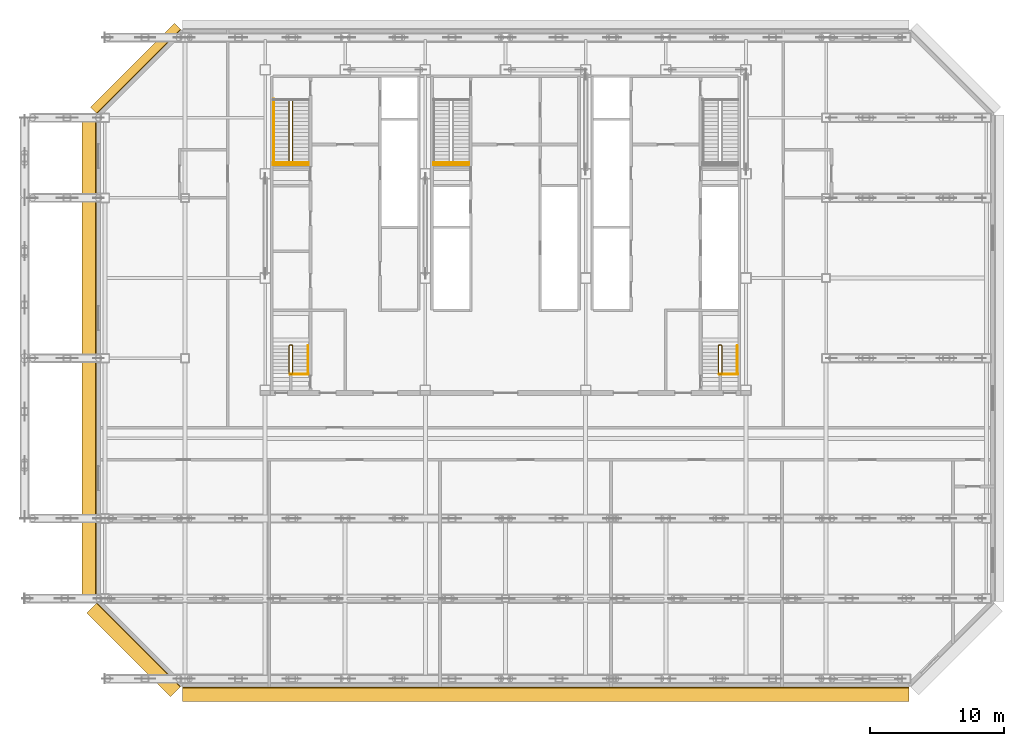
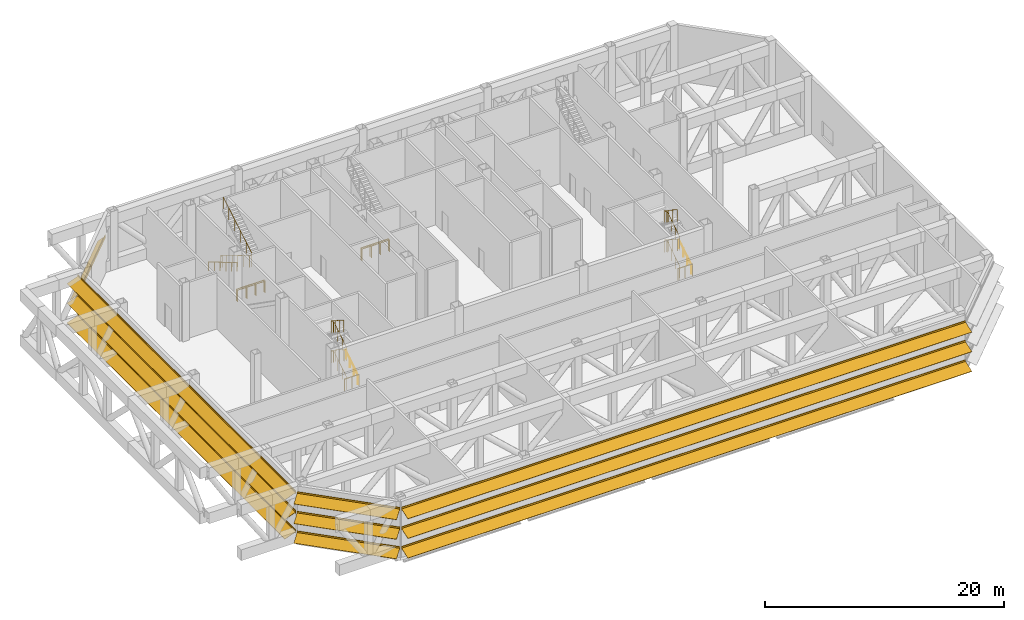
# One storey, part 16 of 17: 14 railings, 4 shading devices.
"""IFC4 building model written with IfcOpenShell, lengths in metres."""

from ifc_helpers import new_model, si_unit, direction, frame, origin, origin_2d, place, context, subcontext, project, spatial, polyline, circle, outline, composite_profile, extrude, material, type_object, element, save


model = new_model("IFC4")

# Units and contexts
model_context = context("Model", 3, precision=1e-05, world=origin(), true_north=direction((0.0, 1.0)))
body_context = subcontext(model_context, "Body", "Model", "MODEL_VIEW")
ifc_project = project(units=[si_unit("LENGTHUNIT", "METRE"), si_unit("AREAUNIT", "SQUARE_METRE"), si_unit("VOLUMEUNIT", "CUBIC_METRE"), si_unit("PLANEANGLEUNIT", "RADIAN"), si_unit("MASSUNIT", "GRAM", prefix="KILO")], contexts=[model_context])

# Site, building, storey
site_placement = place(None, origin())
site = spatial("IfcSite", under=ifc_project, at=site_placement, CompositionType="ELEMENT")
building_placement = place(site_placement, origin())
building = spatial("IfcBuilding", under=site, at=building_placement, Name="Sorahane Residences", CompositionType="ELEMENT")
storey_placement = place(building_placement, frame((0.0, 0.0, 186.0)))
storey = spatial("IfcBuildingStorey", under=building, at=storey_placement, Name="L43", CompositionType="ELEMENT", Elevation=186.0)

# Shading devices
ifc_material_1 = material(Name="Terracotta anodised aluminium", Category="masonry")
shading_device_type_1 = type_object("IfcShadingDeviceType", Name="Louvre sunshade blade NW terracotta aluminium 700", PredefinedType="JALOUSIE", material=ifc_material_1)
shading_device_1_placement = place(storey_placement, frame((-0.283935546875, 48.564697265625, 3.0), z_axis=(-0.707106781187, -0.707106781187, 0.0), x_axis=(0.707106781187, -0.707106781187, 0.0)))
element("IfcShadingDevice", 1, at=shading_device_1_placement, inside=storey, type_object=shading_device_type_1, Name="Louvre sunshade blade bank NW L43 NW1", PredefinedType="JALOUSIE", context=body_context, shape_type="SweptSolid", body=[
    extrude(outline(polyline([(-0.719970703125, -0.660888671875), (-0.719970703125, -0.69091796875), (-0.080078125, -0.072998046875), (-0.080078125, -0.14990234375), (-0.02001953125, -0.14990234375), (-0.02001953125, -0.014892578125), (-0.02001953125, 0.014892578125), (-0.02001953125, 0.14990234375), (-0.080078125, 0.14990234375), (-0.080078125, -0.04296875), (-0.719970703125, -0.660888671875)])), origin(), (0.0, 0.0, 1.0), 8.88232421875),
])
ifc_material_2 = material(Name="Terracotta anodised aluminium", Category="masonry")
shading_device_type_2 = type_object("IfcShadingDeviceType", Name="Louvre sunshade blade S terracotta aluminium 1100", PredefinedType="JALOUSIE", material=ifc_material_2)
shading_device_2_placement = place(storey_placement, frame((-0.198486328125, -0.60009765625, 1.0), z_axis=(1.0, 0.0, 0.0), x_axis=(0.0, 1.0, 0.0)))
element("IfcShadingDevice", 2, at=shading_device_2_placement, inside=storey, type_object=shading_device_type_2, Name="Louvre sunshade blade bank S L43 S1", PredefinedType="JALOUSIE", context=body_context, shape_type="SweptSolid", body=[
    extrude(composite_profile([outline(polyline([(-1.1201171875, -0.385498046875), (-1.1201171875, -0.415283203125), (-0.080078125, -0.036865234375), (-0.080078125, -0.14990234375), (-0.02001953125, -0.14990234375), (-0.02001953125, -0.014892578125), (-0.02001953125, 0.014892578125), (-0.02001953125, 0.14990234375), (-0.080078125, 0.14990234375), (-0.080078125, -0.0068359375), (-1.1201171875, -0.385498046875)])), outline(polyline([(-1.1201171875, 1.614501953125), (-1.1201171875, 1.584716796875), (-0.080078125, 1.963134765625), (-0.080078125, 1.85009765625), (-0.02001953125, 1.85009765625), (-0.02001953125, 1.985107421875), (-0.02001953125, 2.014892578125), (-0.02001953125, 2.14990234375), (-0.080078125, 2.14990234375), (-0.080078125, 1.9931640625), (-1.1201171875, 1.614501953125)])), outline(polyline([(-1.1201171875, 3.614501953125), (-1.1201171875, 3.584716796875), (-0.080078125, 3.963134765625), (-0.080078125, 3.85009765625), (-0.02001953125, 3.85009765625), (-0.02001953125, 3.985107421875), (-0.02001953125, 4.014892578125), (-0.02001953125, 4.14990234375), (-0.080078125, 4.14990234375), (-0.080078125, 3.9931640625), (-1.1201171875, 3.614501953125)]))]), origin(), (0.0, 0.0, 1.0), 54.39697265625),
])
ifc_material_3 = material(Name="Terracotta anodised aluminium", Category="masonry")
shading_device_type_3 = type_object("IfcShadingDeviceType", Name="Louvre sunshade blade SW terracotta aluminium 1100", PredefinedType="JALOUSIE", material=ifc_material_3)
shading_device_3_placement = place(storey_placement, frame((-6.564697265625, 5.716064453125, 1.0), z_axis=(0.707106781187, -0.707106781187, 0.0), x_axis=(0.707106781187, 0.707106781187, 0.0)))
element("IfcShadingDevice", 3, at=shading_device_3_placement, inside=storey, type_object=shading_device_type_3, Name="Louvre sunshade blade bank SW L43 SW1", PredefinedType="JALOUSIE", context=body_context, shape_type="SweptSolid", body=[
    extrude(composite_profile([outline(polyline([(-1.1201171875, -0.385498046875), (-1.1201171875, -0.415283203125), (-0.080078125, -0.036865234375), (-0.080078125, -0.14990234375), (-0.02001953125, -0.14990234375), (-0.02001953125, -0.014892578125), (-0.02001953125, 0.014892578125), (-0.02001953125, 0.14990234375), (-0.080078125, 0.14990234375), (-0.080078125, -0.0068359375), (-1.1201171875, -0.385498046875)])), outline(polyline([(-1.1201171875, 1.614501953125), (-1.1201171875, 1.584716796875), (-0.080078125, 1.963134765625), (-0.080078125, 1.85009765625), (-0.02001953125, 1.85009765625), (-0.02001953125, 1.985107421875), (-0.02001953125, 2.014892578125), (-0.02001953125, 2.14990234375), (-0.080078125, 2.14990234375), (-0.080078125, 1.9931640625), (-1.1201171875, 1.614501953125)])), outline(polyline([(-1.1201171875, 3.614501953125), (-1.1201171875, 3.584716796875), (-0.080078125, 3.963134765625), (-0.080078125, 3.85009765625), (-0.02001953125, 3.85009765625), (-0.02001953125, 3.985107421875), (-0.02001953125, 4.014892578125), (-0.02001953125, 4.14990234375), (-0.080078125, 4.14990234375), (-0.080078125, 3.9931640625), (-1.1201171875, 3.614501953125)]))]), origin(), (0.0, 0.0, 1.0), 8.88232421875),
])
ifc_material_4 = material(Name="Terracotta anodised aluminium", Category="masonry")
shading_device_type_4 = type_object("IfcShadingDeviceType", Name="Louvre sunshade blade W terracotta aluminium 1100", PredefinedType="JALOUSIE", material=ifc_material_4)
shading_device_4_placement = place(storey_placement, frame((-6.60009765625, 42.198486328125, 1.0), z_axis=(0.0, -1.0, 0.0), x_axis=(1.0, 0.0, 0.0)))
element("IfcShadingDevice", 4, at=shading_device_4_placement, inside=storey, type_object=shading_device_type_4, Name="Louvre sunshade blade bank W L43 W1", PredefinedType="JALOUSIE", context=body_context, shape_type="SweptSolid", body=[
    extrude(composite_profile([outline(polyline([(-1.1201171875, -0.385498046875), (-1.1201171875, -0.415283203125), (-0.080078125, -0.036865234375), (-0.080078125, -0.14990234375), (-0.02001953125, -0.14990234375), (-0.02001953125, -0.014892578125), (-0.02001953125, 0.014892578125), (-0.02001953125, 0.14990234375), (-0.080078125, 0.14990234375), (-0.080078125, -0.0068359375), (-1.1201171875, -0.385498046875)])), outline(polyline([(-1.1201171875, 1.614501953125), (-1.1201171875, 1.584716796875), (-0.080078125, 1.963134765625), (-0.080078125, 1.85009765625), (-0.02001953125, 1.85009765625), (-0.02001953125, 1.985107421875), (-0.02001953125, 2.014892578125), (-0.02001953125, 2.14990234375), (-0.080078125, 2.14990234375), (-0.080078125, 1.9931640625), (-1.1201171875, 1.614501953125)])), outline(polyline([(-1.1201171875, 3.614501953125), (-1.1201171875, 3.584716796875), (-0.080078125, 3.963134765625), (-0.080078125, 3.85009765625), (-0.02001953125, 3.85009765625), (-0.02001953125, 3.985107421875), (-0.02001953125, 4.014892578125), (-0.02001953125, 4.14990234375), (-0.080078125, 4.14990234375), (-0.080078125, 3.9931640625), (-1.1201171875, 3.614501953125)]))]), origin(), (0.0, 0.0, 1.0), 36.39697265625),
])

# Railings
ifc_material_5 = material(Name="Steel Q355B", Category="steel")
railing_type_1 = type_object("IfcRailingType", Name="Stair guard 1200 Steel Q355B", PredefinedType="GUARDRAIL", material=ifc_material_5)
railing_1_placement = place(storey_placement, frame((9.25, 38.47509765625, 0.0)))
element("IfcRailing", 5, at=railing_1_placement, inside=storey, type_object=railing_type_1, Name="L43 S1 top well guard 1", PredefinedType="GUARDRAIL", context=body_context, shape_type="SweptSolid", body=[
    extrude(circle(Radius=0.02392578125, at=origin_2d()), frame((0.0, 0.0, 1.17578125), z_axis=(-1.0, 0.0, 0.0), x_axis=(0.0, -1.0, 0.0)), (0.0, 0.0, 1.0), 2.64990234375),
    extrude(circle(Radius=0.02099609375, at=origin_2d()), origin(), (0.0, 0.0, 1.0), 1.15185546875),
    extrude(circle(Radius=0.02099609375, at=origin_2d()), frame((-0.88330078125, 0.0, 0.0)), (0.0, 0.0, 1.0), 1.15185546875),
    extrude(circle(Radius=0.02099609375, at=origin_2d()), frame((-1.7666015625, 0.0, 0.0)), (0.0, 0.0, 1.0), 1.15185546875),
    extrude(circle(Radius=0.02099609375, at=origin_2d()), frame((-2.64990234375, 0.0, 0.0)), (0.0, 0.0, 1.0), 1.15185546875),
])
railing_2_placement = place(storey_placement, frame((6.60009765625, 38.64990234375, 0.0)))
element("IfcRailing", 6, at=railing_2_placement, inside=storey, type_object=railing_type_1, Name="L43 Stair S1 edge guard", PredefinedType="GUARDRAIL", context=body_context, shape_type="SweptSolid", body=[
    extrude(circle(Radius=0.02392578125, at=origin_2d()), frame((0.0, 0.0, 1.17578125), z_axis=(1.0, 0.0, 0.0), x_axis=(0.0, 1.0, 0.0)), (0.0, 0.0, 1.0), 2.64990234375),
    extrude(circle(Radius=0.02099609375, at=origin_2d()), origin(), (0.0, 0.0, 1.0), 1.15185546875),
    extrude(circle(Radius=0.02099609375, at=origin_2d()), frame((0.88330078125, 0.0, 0.0)), (0.0, 0.0, 1.0), 1.15185546875),
    extrude(circle(Radius=0.02099609375, at=origin_2d()), frame((1.7666015625, 0.0, 0.0)), (0.0, 0.0, 1.0), 1.15185546875),
    extrude(circle(Radius=0.02099609375, at=origin_2d()), frame((2.64990234375, 0.0, 0.0)), (0.0, 0.0, 1.0), 1.15185546875),
])
railing_3_placement = place(storey_placement, frame((8.0, 43.449951171875, 0.0)))
element("IfcRailing", 7, at=railing_3_placement, inside=storey, type_object=railing_type_1, Name="L43 S1 stair guard 1", PredefinedType="GUARDRAIL", context=body_context, shape_type="SweptSolid", body=[
    extrude(circle(Radius=0.02392578125, at=origin_2d()), frame((0.0, 0.0, 1.17578125), z_axis=(-1.0, 0.0, 0.0), x_axis=(0.0, -1.0, 0.0)), (0.0, 0.0, 1.0), 0.14990234375),
    extrude(circle(Radius=0.02392578125, at=origin_2d()), frame((-0.14990234375, 0.0, 1.17578125), z_axis=(-0.27628659633, -0.27628659633, 0.920506074601), x_axis=(0.707106781187, -0.707106781187, 0.0)), (0.0, 0.0, 1.0), 0.18115234375),
    extrude(circle(Radius=0.02392578125, at=origin_2d()), frame((-0.199951171875, -0.050048828125, 1.3427734375), z_axis=(0.0, -0.859299802514, 0.511472237174), x_axis=(1.0, 0.0, 0.0)), (0.0, 0.0, 1.0), 5.539306640625),
    extrude(circle(Radius=0.02392578125, at=origin_2d()), frame((-0.199951171875, -4.81005859375, 4.17578125), z_axis=(0.708833529934, -0.705375805398, 0.0), x_axis=(0.705375805398, 0.708833529934, 0.0)), (0.0, 0.0, 1.0), 0.070556640625),
    extrude(circle(Radius=0.02392578125, at=origin_2d()), frame((-0.14990234375, -4.85986328125, 4.17578125), z_axis=(1.0, 0.0, 0.0), x_axis=(0.0, 1.0, 0.0)), (0.0, 0.0, 1.0), 0.14990234375),
    extrude(circle(Radius=0.02392578125, at=origin_2d()), frame((0.0, -4.85986328125, 4.17578125), z_axis=(0.276389281352, 0.275041040955, 0.920848191041), x_axis=(-0.705375805398, 0.708833529934, 0.0)), (0.0, 0.0, 1.0), 0.18115234375),
    extrude(circle(Radius=0.02392578125, at=origin_2d()), frame((0.050048828125, -4.81005859375, 4.3427734375), z_axis=(0.0, 0.859299802514, 0.511472237174), x_axis=(-1.0, 0.0, 0.0)), (0.0, 0.0, 1.0), 5.539306640625),
    extrude(circle(Radius=0.02099609375, at=origin_2d()), origin(), (0.0, 0.0, 1.0), 1.15185546875),
    extrude(circle(Radius=0.02099609375, at=origin_2d()), frame((-0.14990234375, 0.0, 0.0)), (0.0, 0.0, 1.0), 1.15185546875),
    extrude(circle(Radius=0.02099609375, at=origin_2d()), frame((-0.199951171875, -0.050048828125, 0.166748046875)), (0.0, 0.0, 1.0), 1.15185546875),
    extrude(circle(Radius=0.02099609375, at=origin_2d()), frame((-0.199951171875, -1.001953125, 0.7333984375)), (0.0, 0.0, 1.0), 1.15185546875),
    extrude(circle(Radius=0.02099609375, at=origin_2d()), frame((-0.199951171875, -1.9541015625, 1.300048828125)), (0.0, 0.0, 1.0), 1.15185546875),
    extrude(circle(Radius=0.02099609375, at=origin_2d()), frame((-0.199951171875, -2.906005859375, 1.86669921875)), (0.0, 0.0, 1.0), 1.15185546875),
    extrude(circle(Radius=0.02099609375, at=origin_2d()), frame((-0.199951171875, -3.858154296875, 2.433349609375)), (0.0, 0.0, 1.0), 1.15185546875),
    extrude(circle(Radius=0.02099609375, at=origin_2d()), frame((-0.199951171875, -4.81005859375, 3.0)), (0.0, 0.0, 1.0), 1.15185546875),
    extrude(circle(Radius=0.02099609375, at=origin_2d()), frame((-0.14990234375, -4.85986328125, 3.0)), (0.0, 0.0, 1.0), 1.15185546875),
    extrude(circle(Radius=0.02099609375, at=origin_2d()), frame((0.0, -4.85986328125, 3.0)), (0.0, 0.0, 1.0), 1.15185546875),
    extrude(circle(Radius=0.02099609375, at=origin_2d()), frame((0.050048828125, -4.81005859375, 3.166748046875)), (0.0, 0.0, 1.0), 1.15185546875),
    extrude(circle(Radius=0.02099609375, at=origin_2d()), frame((0.050048828125, -3.858154296875, 3.7333984375)), (0.0, 0.0, 1.0), 1.15185546875),
    extrude(circle(Radius=0.02099609375, at=origin_2d()), frame((0.050048828125, -2.906005859375, 4.300048828125)), (0.0, 0.0, 1.0), 1.15185546875),
    extrude(circle(Radius=0.02099609375, at=origin_2d()), frame((0.050048828125, -1.9541015625, 4.86669921875)), (0.0, 0.0, 1.0), 1.15185546875),
    extrude(circle(Radius=0.02099609375, at=origin_2d()), frame((0.050048828125, -1.001953125, 5.433349609375)), (0.0, 0.0, 1.0), 1.15185546875),
    extrude(circle(Radius=0.02099609375, at=origin_2d()), frame((0.050048828125, -0.050048828125, 6.0)), (0.0, 0.0, 1.0), 1.15185546875),
])
railing_4_placement = place(storey_placement, frame((21.25, 38.47509765625, 0.0)))
element("IfcRailing", 8, at=railing_4_placement, inside=storey, type_object=railing_type_1, Name="L43 S3 top well guard 1", PredefinedType="GUARDRAIL", context=body_context, shape_type="SweptSolid", body=[
    extrude(circle(Radius=0.02392578125, at=origin_2d()), frame((0.0, 0.0, 1.17578125), z_axis=(-1.0, 0.0, 0.0), x_axis=(0.0, -1.0, 0.0)), (0.0, 0.0, 1.0), 2.64990234375),
    extrude(circle(Radius=0.02099609375, at=origin_2d()), origin(), (0.0, 0.0, 1.0), 1.15185546875),
    extrude(circle(Radius=0.02099609375, at=origin_2d()), frame((-0.88330078125, 0.0, 0.0)), (0.0, 0.0, 1.0), 1.15185546875),
    extrude(circle(Radius=0.02099609375, at=origin_2d()), frame((-1.7666015625, 0.0, 0.0)), (0.0, 0.0, 1.0), 1.15185546875),
    extrude(circle(Radius=0.02099609375, at=origin_2d()), frame((-2.64990234375, 0.0, 0.0)), (0.0, 0.0, 1.0), 1.15185546875),
])
railing_5_placement = place(storey_placement, frame((18.60009765625, 38.64990234375, 0.0)))
element("IfcRailing", 9, at=railing_5_placement, inside=storey, type_object=railing_type_1, Name="L43 Stair S3 edge guard", PredefinedType="GUARDRAIL", context=body_context, shape_type="SweptSolid", body=[
    extrude(circle(Radius=0.02392578125, at=origin_2d()), frame((0.0, 0.0, 1.17578125), z_axis=(1.0, 0.0, 0.0), x_axis=(0.0, 1.0, 0.0)), (0.0, 0.0, 1.0), 2.64990234375),
    extrude(circle(Radius=0.02099609375, at=origin_2d()), origin(), (0.0, 0.0, 1.0), 1.15185546875),
    extrude(circle(Radius=0.02099609375, at=origin_2d()), frame((0.88330078125, 0.0, 0.0)), (0.0, 0.0, 1.0), 1.15185546875),
    extrude(circle(Radius=0.02099609375, at=origin_2d()), frame((1.7666015625, 0.0, 0.0)), (0.0, 0.0, 1.0), 1.15185546875),
    extrude(circle(Radius=0.02099609375, at=origin_2d()), frame((2.64990234375, 0.0, 0.0)), (0.0, 0.0, 1.0), 1.15185546875),
])
railing_6_placement = place(storey_placement, frame((9.25, 22.800048828125, 0.0)))
element("IfcRailing", 10, at=railing_6_placement, inside=storey, type_object=railing_type_1, Name="L43 S4 top well guard 1", PredefinedType="GUARDRAIL", context=body_context, shape_type="SweptSolid", body=[
    extrude(circle(Radius=0.02392578125, at=origin_2d()), frame((0.0, 0.0, 1.17578125), z_axis=(-1.0, 0.0, 0.0), x_axis=(0.0, -1.0, 0.0)), (0.0, 0.0, 1.0), 1.39990234375),
    extrude(circle(Radius=0.02099609375, at=origin_2d()), origin(), (0.0, 0.0, 1.0), 1.15185546875),
    extrude(circle(Radius=0.02099609375, at=origin_2d()), frame((-0.699951171875, 0.0, 0.0)), (0.0, 0.0, 1.0), 1.15185546875),
    extrude(circle(Radius=0.02099609375, at=origin_2d()), frame((-1.39990234375, 0.0, 0.0)), (0.0, 0.0, 1.0), 1.15185546875),
])
railing_7_placement = place(storey_placement, frame((7.85009765625, 22.800048828125, 0.0)))
element("IfcRailing", 11, at=railing_7_placement, inside=storey, type_object=railing_type_1, Name="L43 S4 stair guard 1", PredefinedType="GUARDRAIL", context=body_context, shape_type="SweptSolid", body=[
    extrude(circle(Radius=0.02392578125, at=origin_2d()), frame((0.0, 0.0, 1.17578125), z_axis=(1.0, 0.0, 0.0), x_axis=(0.0, 1.0, 0.0)), (0.0, 0.0, 1.0), 0.14990234375),
    extrude(circle(Radius=0.02392578125, at=origin_2d()), frame((0.14990234375, 0.0, 1.17578125), z_axis=(0.27628659633, 0.27628659633, 0.920506074601), x_axis=(-0.707106781187, 0.707106781187, 0.0)), (0.0, 0.0, 1.0), 0.18115234375),
    extrude(circle(Radius=0.02392578125, at=origin_2d()), frame((0.199951171875, 0.050048828125, 1.3427734375), z_axis=(0.0, 0.84187453394, 0.539673298491), x_axis=(-1.0, 0.0, 0.0)), (0.0, 0.0, 1.0), 2.470458984375),
    extrude(circle(Radius=0.02392578125, at=origin_2d()), frame((0.199951171875, 2.1298828125, 2.67578125), z_axis=(-0.707106781187, 0.707106781187, 0.0), x_axis=(-0.707106781187, -0.707106781187, 0.0)), (0.0, 0.0, 1.0), 0.07080078125),
    extrude(circle(Radius=0.02392578125, at=origin_2d()), frame((0.14990234375, 2.179931640625, 2.67578125), z_axis=(-1.0, 0.0, 0.0), x_axis=(0.0, -1.0, 0.0)), (0.0, 0.0, 1.0), 0.14990234375),
    extrude(circle(Radius=0.02392578125, at=origin_2d()), frame((0.0, 2.179931640625, 2.67578125), z_axis=(-0.27628659633, -0.27628659633, 0.920506074601), x_axis=(0.707106781187, -0.707106781187, 0.0)), (0.0, 0.0, 1.0), 0.18115234375),
    extrude(circle(Radius=0.02392578125, at=origin_2d()), frame((-0.050048828125, 2.1298828125, 2.8427734375), z_axis=(0.0, -0.84187453394, 0.539673298491), x_axis=(1.0, 0.0, 0.0)), (0.0, 0.0, 1.0), 2.470458984375),
    extrude(circle(Radius=0.02099609375, at=origin_2d()), origin(), (0.0, 0.0, 1.0), 1.15185546875),
    extrude(circle(Radius=0.02099609375, at=origin_2d()), frame((0.14990234375, 0.0, 0.0)), (0.0, 0.0, 1.0), 1.15185546875),
    extrude(circle(Radius=0.02099609375, at=origin_2d()), frame((0.199951171875, 0.050048828125, 0.166748046875)), (0.0, 0.0, 1.0), 1.15185546875),
    extrude(circle(Radius=0.02099609375, at=origin_2d()), frame((0.199951171875, 0.743408203125, 0.611083984375)), (0.0, 0.0, 1.0), 1.15185546875),
    extrude(circle(Radius=0.02099609375, at=origin_2d()), frame((0.199951171875, 1.4365234375, 1.0556640625)), (0.0, 0.0, 1.0), 1.15185546875),
    extrude(circle(Radius=0.02099609375, at=origin_2d()), frame((0.199951171875, 2.1298828125, 1.5)), (0.0, 0.0, 1.0), 1.15185546875),
    extrude(circle(Radius=0.02099609375, at=origin_2d()), frame((0.14990234375, 2.179931640625, 1.5)), (0.0, 0.0, 1.0), 1.15185546875),
    extrude(circle(Radius=0.02099609375, at=origin_2d()), frame((0.0, 2.179931640625, 1.5)), (0.0, 0.0, 1.0), 1.15185546875),
    extrude(circle(Radius=0.02099609375, at=origin_2d()), frame((-0.050048828125, 2.1298828125, 1.666748046875)), (0.0, 0.0, 1.0), 1.15185546875),
    extrude(circle(Radius=0.02099609375, at=origin_2d()), frame((-0.050048828125, 1.4365234375, 2.111083984375)), (0.0, 0.0, 1.0), 1.15185546875),
    extrude(circle(Radius=0.02099609375, at=origin_2d()), frame((-0.050048828125, 0.743408203125, 2.5556640625)), (0.0, 0.0, 1.0), 1.15185546875),
    extrude(circle(Radius=0.02099609375, at=origin_2d()), frame((-0.050048828125, 0.050048828125, 3.0)), (0.0, 0.0, 1.0), 1.15185546875),
])
railing_8_placement = place(storey_placement, frame((7.85009765625, 22.800048828125, 3.0)))
element("IfcRailing", 12, at=railing_8_placement, inside=storey, type_object=railing_type_1, Name="L43 S4 stair guard 2", PredefinedType="GUARDRAIL", context=body_context, shape_type="SweptSolid", body=[
    extrude(circle(Radius=0.02392578125, at=origin_2d()), frame((0.0, 0.0, 1.17578125), z_axis=(1.0, 0.0, 0.0), x_axis=(0.0, 1.0, 0.0)), (0.0, 0.0, 1.0), 0.14990234375),
    extrude(circle(Radius=0.02392578125, at=origin_2d()), frame((0.14990234375, 0.0, 1.17578125), z_axis=(0.27628659633, 0.27628659633, 0.920506074601), x_axis=(-0.707106781187, 0.707106781187, 0.0)), (0.0, 0.0, 1.0), 0.18115234375),
    extrude(circle(Radius=0.02392578125, at=origin_2d()), frame((0.199951171875, 0.050048828125, 1.3427734375), z_axis=(0.0, 0.84187453394, 0.539673298491), x_axis=(-1.0, 0.0, 0.0)), (0.0, 0.0, 1.0), 2.470458984375),
    extrude(circle(Radius=0.02392578125, at=origin_2d()), frame((0.199951171875, 2.1298828125, 2.67578125), z_axis=(-0.707106781187, 0.707106781187, 0.0), x_axis=(-0.707106781187, -0.707106781187, 0.0)), (0.0, 0.0, 1.0), 0.07080078125),
    extrude(circle(Radius=0.02392578125, at=origin_2d()), frame((0.14990234375, 2.179931640625, 2.67578125), z_axis=(-1.0, 0.0, 0.0), x_axis=(0.0, -1.0, 0.0)), (0.0, 0.0, 1.0), 0.14990234375),
    extrude(circle(Radius=0.02392578125, at=origin_2d()), frame((0.0, 2.179931640625, 2.67578125), z_axis=(-0.27628659633, -0.27628659633, 0.920506074601), x_axis=(0.707106781187, -0.707106781187, 0.0)), (0.0, 0.0, 1.0), 0.18115234375),
    extrude(circle(Radius=0.02392578125, at=origin_2d()), frame((-0.050048828125, 2.1298828125, 2.8427734375), z_axis=(0.0, -0.84187453394, 0.539673298491), x_axis=(1.0, 0.0, 0.0)), (0.0, 0.0, 1.0), 2.470458984375),
    extrude(circle(Radius=0.02099609375, at=origin_2d()), origin(), (0.0, 0.0, 1.0), 1.15185546875),
    extrude(circle(Radius=0.02099609375, at=origin_2d()), frame((0.14990234375, 0.0, 0.0)), (0.0, 0.0, 1.0), 1.15185546875),
    extrude(circle(Radius=0.02099609375, at=origin_2d()), frame((0.199951171875, 0.050048828125, 0.166748046875)), (0.0, 0.0, 1.0), 1.15185546875),
    extrude(circle(Radius=0.02099609375, at=origin_2d()), frame((0.199951171875, 0.743408203125, 0.611083984375)), (0.0, 0.0, 1.0), 1.15185546875),
    extrude(circle(Radius=0.02099609375, at=origin_2d()), frame((0.199951171875, 1.4365234375, 1.0556640625)), (0.0, 0.0, 1.0), 1.15185546875),
    extrude(circle(Radius=0.02099609375, at=origin_2d()), frame((0.199951171875, 2.1298828125, 1.5)), (0.0, 0.0, 1.0), 1.15185546875),
    extrude(circle(Radius=0.02099609375, at=origin_2d()), frame((0.14990234375, 2.179931640625, 1.5)), (0.0, 0.0, 1.0), 1.15185546875),
    extrude(circle(Radius=0.02099609375, at=origin_2d()), frame((0.0, 2.179931640625, 1.5)), (0.0, 0.0, 1.0), 1.15185546875),
    extrude(circle(Radius=0.02099609375, at=origin_2d()), frame((-0.050048828125, 2.1298828125, 1.666748046875)), (0.0, 0.0, 1.0), 1.15185546875),
    extrude(circle(Radius=0.02099609375, at=origin_2d()), frame((-0.050048828125, 1.4365234375, 2.111083984375)), (0.0, 0.0, 1.0), 1.15185546875),
    extrude(circle(Radius=0.02099609375, at=origin_2d()), frame((-0.050048828125, 0.743408203125, 2.5556640625)), (0.0, 0.0, 1.0), 1.15185546875),
    extrude(circle(Radius=0.02099609375, at=origin_2d()), frame((-0.050048828125, 0.050048828125, 3.0)), (0.0, 0.0, 1.0), 1.15185546875),
])
railing_9_placement = place(storey_placement, frame((41.39990234375, 22.800048828125, 0.0)))
element("IfcRailing", 13, at=railing_9_placement, inside=storey, type_object=railing_type_1, Name="L43 S5 top well guard 1", PredefinedType="GUARDRAIL", context=body_context, shape_type="SweptSolid", body=[
    extrude(circle(Radius=0.02392578125, at=origin_2d()), frame((0.0, 0.0, 1.17578125), z_axis=(-1.0, 0.0, 0.0), x_axis=(0.0, -1.0, 0.0)), (0.0, 0.0, 1.0), 1.39990234375),
    extrude(circle(Radius=0.02099609375, at=origin_2d()), origin(), (0.0, 0.0, 1.0), 1.15185546875),
    extrude(circle(Radius=0.02099609375, at=origin_2d()), frame((-0.699951171875, 0.0, 0.0)), (0.0, 0.0, 1.0), 1.15185546875),
    extrude(circle(Radius=0.02099609375, at=origin_2d()), frame((-1.39990234375, 0.0, 0.0)), (0.0, 0.0, 1.0), 1.15185546875),
])
railing_10_placement = place(storey_placement, frame((40.0, 22.800048828125, 0.0)))
element("IfcRailing", 14, at=railing_10_placement, inside=storey, type_object=railing_type_1, Name="L43 S5 stair guard 1", PredefinedType="GUARDRAIL", context=body_context, shape_type="SweptSolid", body=[
    extrude(circle(Radius=0.02392578125, at=origin_2d()), frame((0.0, 0.0, 1.17578125), z_axis=(1.0, 0.0, 0.0), x_axis=(0.0, 1.0, 0.0)), (0.0, 0.0, 1.0), 0.14990234375),
    extrude(circle(Radius=0.02392578125, at=origin_2d()), frame((0.14990234375, 0.0, 1.17578125), z_axis=(0.27628659633, 0.27628659633, 0.920506074601), x_axis=(-0.707106781187, 0.707106781187, 0.0)), (0.0, 0.0, 1.0), 0.18115234375),
    extrude(circle(Radius=0.02392578125, at=origin_2d()), frame((0.199951171875, 0.050048828125, 1.3427734375), z_axis=(0.0, 0.84187453394, 0.539673298491), x_axis=(-1.0, 0.0, 0.0)), (0.0, 0.0, 1.0), 2.470458984375),
    extrude(circle(Radius=0.02392578125, at=origin_2d()), frame((0.199951171875, 2.1298828125, 2.67578125), z_axis=(-0.707106781187, 0.707106781187, 0.0), x_axis=(-0.707106781187, -0.707106781187, 0.0)), (0.0, 0.0, 1.0), 0.07080078125),
    extrude(circle(Radius=0.02392578125, at=origin_2d()), frame((0.14990234375, 2.179931640625, 2.67578125), z_axis=(-1.0, 0.0, 0.0), x_axis=(0.0, -1.0, 0.0)), (0.0, 0.0, 1.0), 0.14990234375),
    extrude(circle(Radius=0.02392578125, at=origin_2d()), frame((0.0, 2.179931640625, 2.67578125), z_axis=(-0.27628659633, -0.27628659633, 0.920506074601), x_axis=(0.707106781187, -0.707106781187, 0.0)), (0.0, 0.0, 1.0), 0.18115234375),
    extrude(circle(Radius=0.02392578125, at=origin_2d()), frame((-0.050048828125, 2.1298828125, 2.8427734375), z_axis=(0.0, -0.84187453394, 0.539673298491), x_axis=(1.0, 0.0, 0.0)), (0.0, 0.0, 1.0), 2.470458984375),
    extrude(circle(Radius=0.02099609375, at=origin_2d()), origin(), (0.0, 0.0, 1.0), 1.15185546875),
    extrude(circle(Radius=0.02099609375, at=origin_2d()), frame((0.14990234375, 0.0, 0.0)), (0.0, 0.0, 1.0), 1.15185546875),
    extrude(circle(Radius=0.02099609375, at=origin_2d()), frame((0.199951171875, 0.050048828125, 0.166748046875)), (0.0, 0.0, 1.0), 1.15185546875),
    extrude(circle(Radius=0.02099609375, at=origin_2d()), frame((0.199951171875, 0.743408203125, 0.611083984375)), (0.0, 0.0, 1.0), 1.15185546875),
    extrude(circle(Radius=0.02099609375, at=origin_2d()), frame((0.199951171875, 1.4365234375, 1.0556640625)), (0.0, 0.0, 1.0), 1.15185546875),
    extrude(circle(Radius=0.02099609375, at=origin_2d()), frame((0.199951171875, 2.1298828125, 1.5)), (0.0, 0.0, 1.0), 1.15185546875),
    extrude(circle(Radius=0.02099609375, at=origin_2d()), frame((0.14990234375, 2.179931640625, 1.5)), (0.0, 0.0, 1.0), 1.15185546875),
    extrude(circle(Radius=0.02099609375, at=origin_2d()), frame((0.0, 2.179931640625, 1.5)), (0.0, 0.0, 1.0), 1.15185546875),
    extrude(circle(Radius=0.02099609375, at=origin_2d()), frame((-0.050048828125, 2.1298828125, 1.666748046875)), (0.0, 0.0, 1.0), 1.15185546875),
    extrude(circle(Radius=0.02099609375, at=origin_2d()), frame((-0.050048828125, 1.4365234375, 2.111083984375)), (0.0, 0.0, 1.0), 1.15185546875),
    extrude(circle(Radius=0.02099609375, at=origin_2d()), frame((-0.050048828125, 0.743408203125, 2.5556640625)), (0.0, 0.0, 1.0), 1.15185546875),
    extrude(circle(Radius=0.02099609375, at=origin_2d()), frame((-0.050048828125, 0.050048828125, 3.0)), (0.0, 0.0, 1.0), 1.15185546875),
])
railing_11_placement = place(storey_placement, frame((40.0, 22.800048828125, 3.0)))
element("IfcRailing", 15, at=railing_11_placement, inside=storey, type_object=railing_type_1, Name="L43 S5 stair guard 2", PredefinedType="GUARDRAIL", context=body_context, shape_type="SweptSolid", body=[
    extrude(circle(Radius=0.02392578125, at=origin_2d()), frame((0.0, 0.0, 1.17578125), z_axis=(1.0, 0.0, 0.0), x_axis=(0.0, 1.0, 0.0)), (0.0, 0.0, 1.0), 0.14990234375),
    extrude(circle(Radius=0.02392578125, at=origin_2d()), frame((0.14990234375, 0.0, 1.17578125), z_axis=(0.27628659633, 0.27628659633, 0.920506074601), x_axis=(-0.707106781187, 0.707106781187, 0.0)), (0.0, 0.0, 1.0), 0.18115234375),
    extrude(circle(Radius=0.02392578125, at=origin_2d()), frame((0.199951171875, 0.050048828125, 1.3427734375), z_axis=(0.0, 0.84187453394, 0.539673298491), x_axis=(-1.0, 0.0, 0.0)), (0.0, 0.0, 1.0), 2.470458984375),
    extrude(circle(Radius=0.02392578125, at=origin_2d()), frame((0.199951171875, 2.1298828125, 2.67578125), z_axis=(-0.707106781187, 0.707106781187, 0.0), x_axis=(-0.707106781187, -0.707106781187, 0.0)), (0.0, 0.0, 1.0), 0.07080078125),
    extrude(circle(Radius=0.02392578125, at=origin_2d()), frame((0.14990234375, 2.179931640625, 2.67578125), z_axis=(-1.0, 0.0, 0.0), x_axis=(0.0, -1.0, 0.0)), (0.0, 0.0, 1.0), 0.14990234375),
    extrude(circle(Radius=0.02392578125, at=origin_2d()), frame((0.0, 2.179931640625, 2.67578125), z_axis=(-0.27628659633, -0.27628659633, 0.920506074601), x_axis=(0.707106781187, -0.707106781187, 0.0)), (0.0, 0.0, 1.0), 0.18115234375),
    extrude(circle(Radius=0.02392578125, at=origin_2d()), frame((-0.050048828125, 2.1298828125, 2.8427734375), z_axis=(0.0, -0.84187453394, 0.539673298491), x_axis=(1.0, 0.0, 0.0)), (0.0, 0.0, 1.0), 2.470458984375),
    extrude(circle(Radius=0.02099609375, at=origin_2d()), origin(), (0.0, 0.0, 1.0), 1.15185546875),
    extrude(circle(Radius=0.02099609375, at=origin_2d()), frame((0.14990234375, 0.0, 0.0)), (0.0, 0.0, 1.0), 1.15185546875),
    extrude(circle(Radius=0.02099609375, at=origin_2d()), frame((0.199951171875, 0.050048828125, 0.166748046875)), (0.0, 0.0, 1.0), 1.15185546875),
    extrude(circle(Radius=0.02099609375, at=origin_2d()), frame((0.199951171875, 0.743408203125, 0.611083984375)), (0.0, 0.0, 1.0), 1.15185546875),
    extrude(circle(Radius=0.02099609375, at=origin_2d()), frame((0.199951171875, 1.4365234375, 1.0556640625)), (0.0, 0.0, 1.0), 1.15185546875),
    extrude(circle(Radius=0.02099609375, at=origin_2d()), frame((0.199951171875, 2.1298828125, 1.5)), (0.0, 0.0, 1.0), 1.15185546875),
    extrude(circle(Radius=0.02099609375, at=origin_2d()), frame((0.14990234375, 2.179931640625, 1.5)), (0.0, 0.0, 1.0), 1.15185546875),
    extrude(circle(Radius=0.02099609375, at=origin_2d()), frame((0.0, 2.179931640625, 1.5)), (0.0, 0.0, 1.0), 1.15185546875),
    extrude(circle(Radius=0.02099609375, at=origin_2d()), frame((-0.050048828125, 2.1298828125, 1.666748046875)), (0.0, 0.0, 1.0), 1.15185546875),
    extrude(circle(Radius=0.02099609375, at=origin_2d()), frame((-0.050048828125, 1.4365234375, 2.111083984375)), (0.0, 0.0, 1.0), 1.15185546875),
    extrude(circle(Radius=0.02099609375, at=origin_2d()), frame((-0.050048828125, 0.743408203125, 2.5556640625)), (0.0, 0.0, 1.0), 1.15185546875),
    extrude(circle(Radius=0.02099609375, at=origin_2d()), frame((-0.050048828125, 0.050048828125, 3.0)), (0.0, 0.0, 1.0), 1.15185546875),
])
ifc_material_6 = material(Name="Steel Q355B", Category="steel")
railing_type_2 = type_object("IfcRailingType", Name="Stair handrail 900 Steel Q355B", PredefinedType="HANDRAIL", material=ifc_material_6)
railing_12_placement = place(storey_placement, frame((6.64990234375, 43.39990234375, 0.166748046875)))
element("IfcRailing", 16, at=railing_12_placement, inside=storey, type_object=railing_type_2, Name="L43 S1 stair handrail 1", PredefinedType="HANDRAIL", context=body_context, shape_type="SweptSolid", body=[
    extrude(circle(Radius=0.02392578125, at=origin_2d()), frame((0.0, 0.0, 0.8759765625), z_axis=(0.0, -0.859299802514, 0.511472237174), x_axis=(1.0, 0.0, 0.0)), (0.0, 0.0, 1.0), 5.539306640625),
    extrude(circle(Radius=0.02099609375, at=origin_2d()), origin(), (0.0, 0.0, 1.0), 0.851806640625),
    extrude(circle(Radius=0.02099609375, at=origin_2d()), frame((0.0, -0.951904296875, 0.566650390625)), (0.0, 0.0, 1.0), 0.851806640625),
    extrude(circle(Radius=0.02099609375, at=origin_2d()), frame((0.0, -1.904052734375, 1.13330078125)), (0.0, 0.0, 1.0), 0.851806640625),
    extrude(circle(Radius=0.02099609375, at=origin_2d()), frame((0.0, -2.85595703125, 1.699951171875)), (0.0, 0.0, 1.0), 0.851806640625),
    extrude(circle(Radius=0.02099609375, at=origin_2d()), frame((0.0, -3.80810546875, 2.2666015625)), (0.0, 0.0, 1.0), 0.851806640625),
    extrude(circle(Radius=0.02099609375, at=origin_2d()), frame((0.0, -4.760009765625, 2.833251953125)), (0.0, 0.0, 1.0), 0.851806640625),
])
for number, where, name in (
    (17, (9.199951171875, 22.85009765625, 0.166748046875), "L43 S4 stair handrail 1"),
    (18, (41.35009765625, 22.85009765625, 0.166748046875), "L43 S5 stair handrail 1"),
):
    element("IfcRailing", number, at=place(storey_placement, frame(where)), inside=storey, type_object=railing_type_2, Name=name, PredefinedType="HANDRAIL", context=body_context, shape_type="SweptSolid", body=[
        extrude(circle(Radius=0.02392578125, at=origin_2d()), frame((0.0, 0.0, 0.8759765625), z_axis=(0.0, 0.84187453394, 0.539673298491), x_axis=(-1.0, 0.0, 0.0)), (0.0, 0.0, 1.0), 2.470458984375),
        extrude(circle(Radius=0.02099609375, at=origin_2d()), origin(), (0.0, 0.0, 1.0), 0.851806640625),
        extrude(circle(Radius=0.02099609375, at=origin_2d()), frame((0.0, 0.693359375, 0.4443359375)), (0.0, 0.0, 1.0), 0.851806640625),
        extrude(circle(Radius=0.02099609375, at=origin_2d()), frame((0.0, 1.386474609375, 0.888916015625)), (0.0, 0.0, 1.0), 0.851806640625),
        extrude(circle(Radius=0.02099609375, at=origin_2d()), frame((0.0, 2.079833984375, 1.333251953125)), (0.0, 0.0, 1.0), 0.851806640625),
    ])

save(model, "model.ifc")
